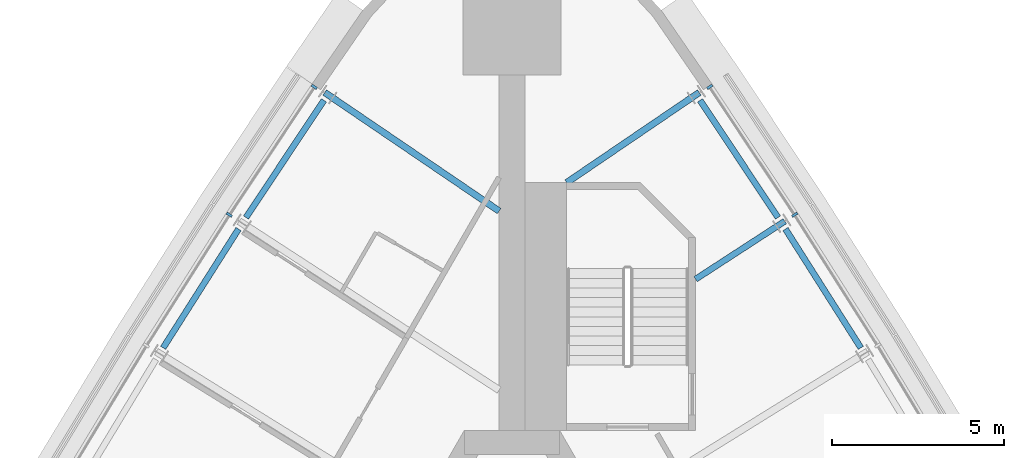
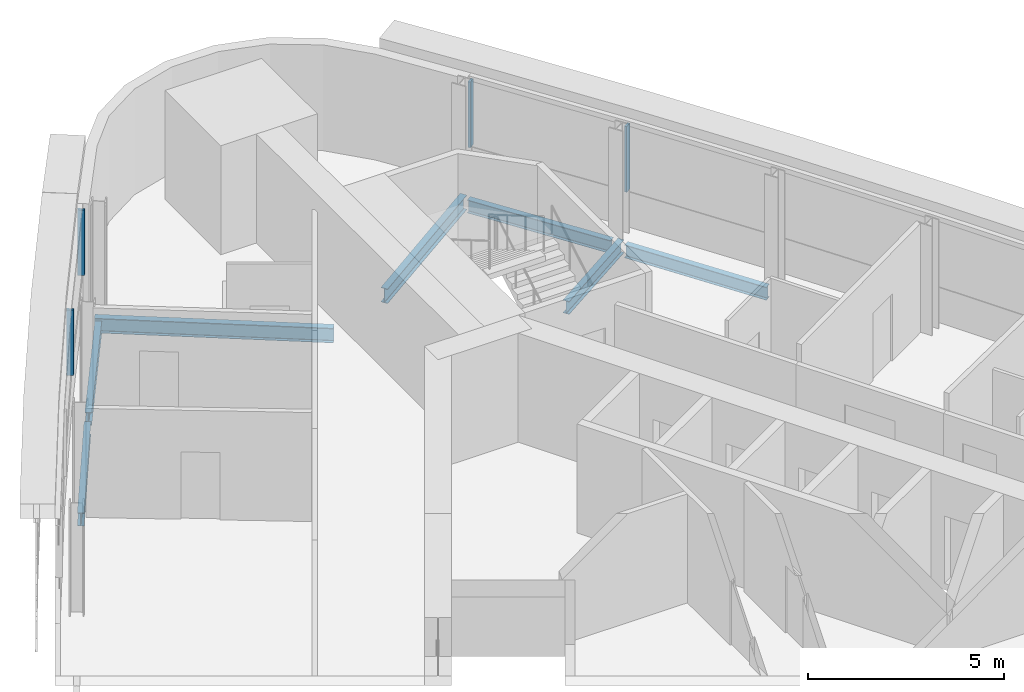
# One storey, part 6 of 12: 7 beams, 4 members, 2 elements without a shape of their own.
"""IFC4 building model written with IfcOpenShell, lengths in metres."""

from ifc_helpers import new_model, si_unit, direction, frame, origin, origin_2d, place, context, subcontext, project, spatial, rectangle, i_section, extrude, material, material_profile, profile_set, type_object, element, aggregate, save


model = new_model("IFC4")

# Units and contexts
model_context = context("Model", 3, precision=1e-05, world=origin(), true_north=direction((0.0, 1.0)))
body_context = subcontext(model_context, "Body", "Model", "MODEL_VIEW")
ifc_project = project(units=[si_unit("LENGTHUNIT", "METRE"), si_unit("AREAUNIT", "SQUARE_METRE"), si_unit("VOLUMEUNIT", "CUBIC_METRE"), si_unit("PLANEANGLEUNIT", "RADIAN"), si_unit("MASSUNIT", "GRAM", prefix="KILO")], contexts=[model_context])

# Site, building, storey
site_placement = place(None, origin())
site = spatial("IfcSite", under=ifc_project, at=site_placement, CompositionType="ELEMENT")
building_placement = place(site_placement, origin())
building = spatial("IfcBuilding", under=site, at=building_placement, Name="Noor Cloister Tower", CompositionType="ELEMENT")
storey_placement = place(building_placement, frame((0.0, 0.0, 161.699951171875)))
storey = spatial("IfcBuildingStorey", under=building, at=storey_placement, Name="L41", CompositionType="ELEMENT", Elevation=161.699951171875)

# Curtain wall, members
ifc_material_1 = material(Name="Aluminium 6063-T6 anodised", Category="aluminium")
curtain_wall_type = type_object("IfcCurtainWallType", Name="Ribbon curtain wall, upper tower CW5", PredefinedType="NOTDEFINED", material=ifc_material_1)
curtain_wall_1_placement = place(storey_placement, origin())
curtain_wall_1 = element("IfcCurtainWall", 1, at=curtain_wall_1_placement, inside=storey, type_object=curtain_wall_type, Name="CW5 L41 NW run 1", PredefinedType="NOTDEFINED")
ifc_material_2 = material(Name="Aluminium 6063-T6 anodised", Category="aluminium")
ifc_material_profile_1 = material_profile(ifc_material_2, rectangle(XDim=0.179931640625, YDim=0.070068359375, at=origin_2d()), Name="180 x 70 mullion")
ifc_profile_set_1 = profile_set([ifc_material_profile_1], Name="Aluminium 6063-T6 anodised")
member_type = type_object("IfcMemberType", Name="Mullion CW5 70 x 180", PredefinedType="MULLION", material=ifc_profile_set_1)
member_1_placement = place(storey_placement, frame((-5.74560546875, 21.43994140625, 1.10009765625), z_axis=(0.0, 0.0, 1.0), x_axis=(0.832917232409, -0.553397582174, 0.0)))
member_1 = element("IfcMember", 2, at=member_1_placement, type_object=member_type, Name="CW5 mullion 1", PredefinedType="MULLION", context=body_context, shape_type="SweptSolid", body=[
    extrude(rectangle(XDim=0.179931640625, YDim=0.070068359375, at=origin_2d()), origin(), (0.0, 0.0, 1.0), 2.050048828125),
])
member_2_placement = place(storey_placement, frame((-8.216064453125, 17.721923828125, 1.10009765625), z_axis=(0.0, 0.0, 1.0), x_axis=(0.838667278943, -0.544644099602, 0.0)))
member_2 = element("IfcMember", 3, at=member_2_placement, type_object=member_type, Name="CW5 mullion 2", PredefinedType="MULLION", context=body_context, shape_type="SweptSolid", body=[
    extrude(rectangle(XDim=0.179931640625, YDim=0.070068359375, at=origin_2d()), origin(), (0.0, 0.0, 1.0), 2.050048828125),
])
aggregate(curtain_wall_1, [member_1, member_2])

curtain_wall_2_placement = place(storey_placement, origin())
curtain_wall_2 = element("IfcCurtainWall", 4, at=curtain_wall_2_placement, inside=storey, type_object=curtain_wall_type, Name="CW5 L41 NE run 3", PredefinedType="NOTDEFINED")
member_3_placement = place(storey_placement, frame((8.216064453125, 17.721923828125, 1.10009765625), z_axis=(0.0, 0.0, 1.0), x_axis=(-0.838667278943, -0.544644099602, 0.0)))
member_3 = element("IfcMember", 5, at=member_3_placement, type_object=member_type, Name="CW5 mullion 7", PredefinedType="MULLION", context=body_context, shape_type="SweptSolid", body=[
    extrude(rectangle(XDim=0.179931640625, YDim=0.070068359375, at=origin_2d()), origin(), (0.0, 0.0, 1.0), 2.050048828125),
])
member_4_placement = place(storey_placement, frame((5.74560546875, 21.43994140625, 1.10009765625), z_axis=(0.0, 0.0, 1.0), x_axis=(-0.832917232409, -0.553397582174, 0.0)))
member_4 = element("IfcMember", 6, at=member_4_placement, type_object=member_type, Name="CW5 mullion 8", PredefinedType="MULLION", context=body_context, shape_type="SweptSolid", body=[
    extrude(rectangle(XDim=0.179931640625, YDim=0.070068359375, at=origin_2d()), origin(), (0.0, 0.0, 1.0), 2.050048828125),
])
aggregate(curtain_wall_2, [member_3, member_4])

# Beams
ifc_material_3 = material(Name="Steel ASTM A992 Gr 50", Category="steel")
ifc_material_profile_2 = material_profile(ifc_material_3, i_section(OverallWidth=0.177978515625, OverallDepth=0.406005859375, WebThickness=0.0078125, FlangeThickness=0.0126953125, FilletRadius=0.01025390625, at=origin_2d()), Name="W410x60")
ifc_profile_set_2 = profile_set([ifc_material_profile_2], Name="Steel ASTM A992 Gr 50")
beam_type_1 = type_object("IfcBeamType", Name="Radial beam W410x60", PredefinedType="BEAM", material=ifc_profile_set_2)
beam_1_placement = place(storey_placement, frame((7.92822265625, 17.53515625, -0.40283203125), z_axis=(-0.838636629365, -0.544691292281, 0.0), x_axis=(0.544691292281, -0.838636629365, 0.0)))
element("IfcBeam", 7, at=beam_1_placement, inside=storey, type_object=beam_type_1, Name="Radial beam NE 07 L41", PredefinedType="BEAM", context=body_context, shape_type="SweptSolid", body=[
    extrude(i_section(OverallWidth=0.177978515625, OverallDepth=0.406005859375, WebThickness=0.0078125, FlangeThickness=0.0126953125, FilletRadius=0.01025390625, at=origin_2d()), origin(), (0.0, 0.0, 1.0), 3.09130859375),
])
ifc_material_4 = material(Name="Steel ASTM A992 Gr 50", Category="steel")
ifc_material_profile_3 = material_profile(ifc_material_4, i_section(OverallWidth=0.19091796875, OverallDepth=0.45703125, WebThickness=0.009033203125, FlangeThickness=0.014404296875, FilletRadius=0.01025390625, at=origin_2d()), Name="W460x74")
ifc_profile_set_3 = profile_set([ifc_material_profile_3], Name="Steel ASTM A992 Gr 50")
beam_type_2 = type_object("IfcBeamType", Name="Radial beam W460x74", PredefinedType="BEAM", material=ifc_profile_set_3)
beam_2_placement = place(storey_placement, frame((-5.443115234375, 21.275390625, -0.428466796875), z_axis=(0.827076903785, -0.562088778775, 0.0), x_axis=(0.562088778775, 0.827076903785, 0.0)))
element("IfcBeam", 8, at=beam_2_placement, inside=storey, type_object=beam_type_2, Name="Radial beam NW 01 L41", PredefinedType="BEAM", context=body_context, shape_type="SweptSolid", body=[
    extrude(i_section(OverallWidth=0.19091796875, OverallDepth=0.45703125, WebThickness=0.009033203125, FlangeThickness=0.014404296875, FilletRadius=0.01025390625, at=origin_2d()), origin(), (0.0, 0.0, 1.0), 6.127685546875),
])
beam_3_placement = place(storey_placement, frame((5.443115234375, 21.275390625, -0.428466796875), z_axis=(-0.827075588321, -0.562090714389, 0.0), x_axis=(0.562090714389, -0.827075588321, 0.0)))
element("IfcBeam", 9, at=beam_3_placement, inside=storey, type_object=beam_type_2, Name="Radial beam NE 08 L41", PredefinedType="BEAM", context=body_context, shape_type="SweptSolid", body=[
    extrude(i_section(OverallWidth=0.19091796875, OverallDepth=0.45703125, WebThickness=0.009033203125, FlangeThickness=0.014404296875, FilletRadius=0.01025390625, at=origin_2d()), origin(), (0.0, 0.0, 1.0), 4.6591796875),
])
ifc_material_5 = material(Name="Steel ASTM A992 Gr 50", Category="steel")
ifc_material_profile_4 = material_profile(ifc_material_5, i_section(OverallWidth=0.177978515625, OverallDepth=0.406005859375, WebThickness=0.0078125, FlangeThickness=0.0126953125, FilletRadius=0.01025390625, at=origin_2d()), Name="W410x60")
ifc_profile_set_4 = profile_set([ifc_material_profile_4], Name="Steel ASTM A992 Gr 50")
beam_type_3 = type_object("IfcBeamType", Name="Spandrel beam W410x60", PredefinedType="SPANDREL", material=ifc_profile_set_4)
for number, where, z_axis, x_axis, name in (
    (10, (-5.465087890625, 21.049072265625, -0.40283203125), (-0.553432045803, -0.832894333441, 0.0), (0.832894333441, -0.553432045803, 0.0), "Spandrel beam NW 01 L41"),
    (11, (-7.945556640625, 17.308349609375, -0.40283203125), (-0.535808888954, -0.844339288744, 0.0), (0.844339288744, -0.535808888954, 0.0), "Spandrel beam NW 02 L41"),
    (12, (10.13671875, 13.85546875, -0.40283203125), (-0.535808888954, 0.844339288744, 0.0), (-0.844339288744, -0.535808888954, 0.0), "Spandrel beam NE 06 L41"),
    (13, (7.728271484375, 17.64306640625, -0.40283203125), (-0.553432045803, 0.832894333441, 0.0), (-0.832894333441, -0.553432045803, 0.0), "Spandrel beam NE 07 L41"),
):
    element("IfcBeam", number, at=place(storey_placement, frame(where, z_axis=z_axis, x_axis=x_axis)), inside=storey, type_object=beam_type_3, Name=name, PredefinedType="SPANDREL", context=body_context, shape_type="SweptSolid", body=[
        extrude(i_section(OverallWidth=0.177978515625, OverallDepth=0.406005859375, WebThickness=0.0078125, FlangeThickness=0.0126953125, FilletRadius=0.01025390625, at=origin_2d()), origin(), (0.0, 0.0, 1.0), 4.08935546875),
    ])

save(model, "model.ifc")
